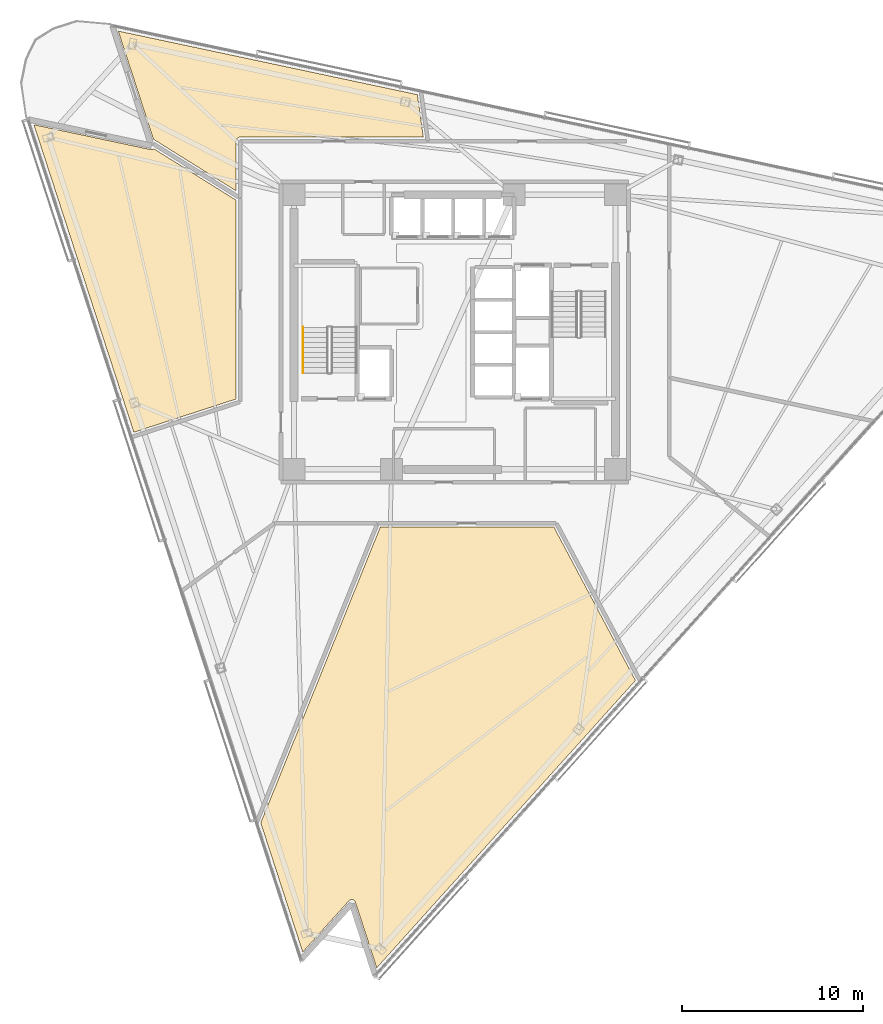
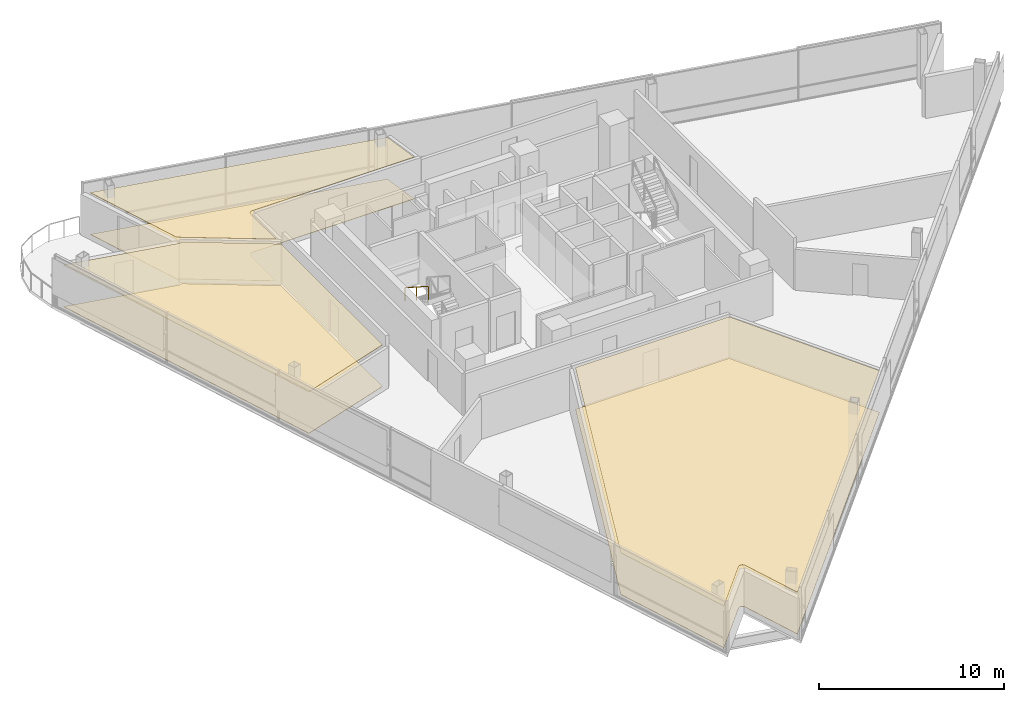
# One storey, part 15 of 17: 6 coverings, 1 railing.
"""IFC4 building model written with IfcOpenShell, lengths in metres."""

from ifc_helpers import new_model, si_unit, direction, frame, origin, origin_2d, place, context, subcontext, project, spatial, polyline, rectangle, outline, extrude, material, layer, layer_set, type_object, element, save


model = new_model("IFC4")

# Units and contexts
model_context = context("Model", 3, precision=1e-05, world=origin(), true_north=direction((0.0, 1.0)))
body_context = subcontext(model_context, "Body", "Model", "MODEL_VIEW")
ifc_project = project(units=[si_unit("LENGTHUNIT", "METRE"), si_unit("AREAUNIT", "SQUARE_METRE"), si_unit("VOLUMEUNIT", "CUBIC_METRE"), si_unit("PLANEANGLEUNIT", "RADIAN"), si_unit("MASSUNIT", "GRAM", prefix="KILO")], contexts=[model_context])

# Site, building, storey
site_placement = place(None, origin())
site = spatial("IfcSite", under=ifc_project, at=site_placement, CompositionType="ELEMENT")
building_placement = place(site_placement, origin())
building = spatial("IfcBuilding", under=site, at=building_placement, Name="Tharavind Bronze Gate", CompositionType="ELEMENT")
storey_placement = place(building_placement, frame((0.0, 0.0, 200.449951171875)))
storey = spatial("IfcBuildingStorey", under=building, at=storey_placement, Name="L51", CompositionType="ELEMENT", Elevation=200.449951171875)

# Coverings
ifc_material_1 = material(Name="Perforated Bronze Acoustic Panel", Category="bronze")
ifc_layer_1 = layer(ifc_material_1, 0.044921875)
ifc_layer_set_1 = layer_set([ifc_layer_1], Name="Perforated Bronze Acoustic Panel")
covering_type_1 = type_object("IfcCoveringType", Name="ACOUSTIC BRONZE BAFFLE CEILING", PredefinedType="CEILING", material=ifc_layer_set_1)
covering_1_placement = place(storey_placement, frame((0.0, 0.0, 2.75)))
element("IfcCovering", 1, at=covering_1_placement, inside=storey, type_object=covering_type_1, Name="L51-RM-02 suspended ceiling", PredefinedType="CEILING", context=body_context, shape_type="SweptSolid", body=[
    extrude(outline(polyline([(-16.6875, 10.68701171875), (-12.10009765625, 7.8203125), (-12.10009765625, 10.579345703125), (-12.099609375, 10.590087890625), (-12.099609375, 10.5908203125), (-12.09765625, 10.6123046875), (-12.093505859375, 10.63330078125), (-12.087158203125, 10.654052734375), (-12.078857421875, 10.674072265625), (-12.068603515625, 10.693115234375), (-12.056640625, 10.7109375), (-12.04296875, 10.727783203125), (-12.027587890625, 10.742919921875), (-12.010986328125, 10.756591796875), (-11.9931640625, 10.768798828125), (-11.97412109375, 10.77880859375), (-11.9541015625, 10.787109375), (-11.933349609375, 10.79345703125), (-11.912353515625, 10.797607421875), (-11.890869140625, 10.7998046875), (-11.89013671875, 10.7998046875), (-11.87939453125, 10.800048828125), (-1.739990234375, 10.800048828125), (-2.07080078125, 13.15283203125), (-18.6328125, 16.673095703125), (-16.6875, 10.68701171875)])), origin(), (0.0, 0.0, 1.0), 0.03515625),
])
ifc_material_2 = material(Name="Engineered Oak & Carpet Tile", Category="wood")
ifc_layer_2 = layer(ifc_material_2, 0.02490234375)
ifc_layer_set_2 = layer_set([ifc_layer_2], Name="Engineered Oak & Carpet Tile")
covering_type_2 = type_object("IfcCoveringType", Name="ENGINEERED TIMBER FLOORING", PredefinedType="FLOORING", material=ifc_layer_set_2)
covering_2_placement = place(storey_placement, origin())
element("IfcCovering", 2, at=covering_2_placement, inside=storey, type_object=covering_type_2, Name="L51-RM-02 floor finish", PredefinedType="FLOORING", context=body_context, shape_type="SweptSolid", body=[
    extrude(outline(polyline([(-16.6875, 10.68701171875), (-12.10009765625, 7.8203125), (-12.10009765625, 10.579345703125), (-12.099609375, 10.590087890625), (-12.099609375, 10.5908203125), (-12.09765625, 10.6123046875), (-12.093505859375, 10.63330078125), (-12.087158203125, 10.654052734375), (-12.078857421875, 10.674072265625), (-12.068603515625, 10.693115234375), (-12.056640625, 10.7109375), (-12.04296875, 10.727783203125), (-12.027587890625, 10.742919921875), (-12.010986328125, 10.756591796875), (-11.9931640625, 10.768798828125), (-11.97412109375, 10.77880859375), (-11.9541015625, 10.787109375), (-11.933349609375, 10.79345703125), (-11.912353515625, 10.797607421875), (-11.890869140625, 10.7998046875), (-11.89013671875, 10.7998046875), (-11.87939453125, 10.800048828125), (-1.739990234375, 10.800048828125), (-2.07080078125, 13.15283203125), (-18.6328125, 16.673095703125), (-16.6875, 10.68701171875)])), origin(), (0.0, 0.0, 1.0), 0.025146484375),
])
covering_3_placement = place(storey_placement, origin())
element("IfcCovering", 3, at=covering_3_placement, inside=storey, type_object=covering_type_2, Name="L51-RM-03 floor finish", PredefinedType="FLOORING", context=body_context, shape_type="SweptSolid", body=[
    extrude(outline(polyline([(-17.770263671875, -5.54248046875), (-12.10009765625, -3.7001953125), (-12.10009765625, 7.301513671875), (-16.667724609375, 10.15576171875), (-16.671630859375, 10.152587890625), (-16.68994140625, 10.140380859375), (-16.709228515625, 10.130126953125), (-16.7294921875, 10.121826171875), (-16.75048828125, 10.115478515625), (-16.772216796875, 10.111572265625), (-16.7939453125, 10.109619140625), (-16.81591796875, 10.109619140625), (-16.837646484375, 10.112060546875), (-16.83837890625, 10.1123046875), (-16.84912109375, 10.1142578125), (-23.30322265625, 11.486083984375), (-17.770263671875, -5.54248046875)])), origin(), (0.0, 0.0, 1.0), 0.025146484375),
])
covering_4_placement = place(storey_placement, origin())
element("IfcCovering", 4, at=covering_4_placement, inside=storey, type_object=covering_type_2, Name="L51-RM-05 floor finish", PredefinedType="FLOORING", context=body_context, shape_type="SweptSolid", body=[
    extrude(outline(polyline([(-8.417236328125, -34.328369140625), (-5.870361328125, -31.499755859375), (-5.86279296875, -31.49169921875), (-5.8623046875, -31.4912109375), (-5.84619140625, -31.4765625), (-5.82861328125, -31.46337890625), (-5.809814453125, -31.4521484375), (-5.789794921875, -31.44287109375), (-5.769287109375, -31.435546875), (-5.747802734375, -31.430419921875), (-5.72607421875, -31.42724609375), (-5.7041015625, -31.426513671875), (-5.682373046875, -31.427734375), (-5.66064453125, -31.431396484375), (-5.639404296875, -31.43701171875), (-5.618896484375, -31.444580078125), (-5.599365234375, -31.454345703125), (-5.580810546875, -31.4658203125), (-5.563232421875, -31.479248046875), (-5.54736328125, -31.494384765625), (-5.532958984375, -31.510986328125), (-5.5205078125, -31.52880859375), (-5.509521484375, -31.548095703125), (-5.500732421875, -31.568115234375), (-5.50048828125, -31.568603515625), (-5.4970703125, -31.5791015625), (-4.32080078125, -35.19921875), (10.006103515625, -19.28759765625), (5.493408203125, -10.800048828125), (-4.126220703125, -10.800048828125), (-10.74169921875, -27.174072265625), (-8.417236328125, -34.328369140625)])), origin(), (0.0, 0.0, 1.0), 0.025146484375),
])
ifc_material_3 = material(Name="Acoustic Gypsum Board", Category="gypsum")
ifc_layer_3 = layer(ifc_material_3, 0.030029296875)
ifc_layer_set_3 = layer_set([ifc_layer_3], Name="Acoustic Gypsum Board")
covering_type_3 = type_object("IfcCoveringType", Name="GYPSUM SUSPENDED CEILING", PredefinedType="CEILING", material=ifc_layer_set_3)
covering_5_placement = place(storey_placement, frame((0.0, 0.0, 2.75)))
element("IfcCovering", 5, at=covering_5_placement, inside=storey, type_object=covering_type_3, Name="L51-RM-03 suspended ceiling", PredefinedType="CEILING", context=body_context, shape_type="SweptSolid", body=[
    extrude(outline(polyline([(-17.770263671875, -5.54248046875), (-12.10009765625, -3.7001953125), (-12.10009765625, 7.301513671875), (-16.667724609375, 10.15576171875), (-16.671630859375, 10.152587890625), (-16.68994140625, 10.140380859375), (-16.709228515625, 10.130126953125), (-16.7294921875, 10.121826171875), (-16.75048828125, 10.115478515625), (-16.772216796875, 10.111572265625), (-16.7939453125, 10.109619140625), (-16.81591796875, 10.109619140625), (-16.837646484375, 10.112060546875), (-16.83837890625, 10.1123046875), (-16.84912109375, 10.1142578125), (-23.30322265625, 11.486083984375), (-17.770263671875, -5.54248046875)])), origin(), (0.0, 0.0, 1.0), 0.03515625),
])
covering_6_placement = place(storey_placement, frame((0.0, 0.0, 2.75)))
element("IfcCovering", 6, at=covering_6_placement, inside=storey, type_object=covering_type_3, Name="L51-RM-05 suspended ceiling", PredefinedType="CEILING", context=body_context, shape_type="SweptSolid", body=[
    extrude(outline(polyline([(-8.417236328125, -34.328369140625), (-5.870361328125, -31.499755859375), (-5.86279296875, -31.49169921875), (-5.8623046875, -31.4912109375), (-5.84619140625, -31.4765625), (-5.82861328125, -31.46337890625), (-5.809814453125, -31.4521484375), (-5.789794921875, -31.44287109375), (-5.769287109375, -31.435546875), (-5.747802734375, -31.430419921875), (-5.72607421875, -31.42724609375), (-5.7041015625, -31.426513671875), (-5.682373046875, -31.427734375), (-5.66064453125, -31.431396484375), (-5.639404296875, -31.43701171875), (-5.618896484375, -31.444580078125), (-5.599365234375, -31.454345703125), (-5.580810546875, -31.4658203125), (-5.563232421875, -31.479248046875), (-5.54736328125, -31.494384765625), (-5.532958984375, -31.510986328125), (-5.5205078125, -31.52880859375), (-5.509521484375, -31.548095703125), (-5.500732421875, -31.568115234375), (-5.50048828125, -31.568603515625), (-5.4970703125, -31.5791015625), (-4.32080078125, -35.19921875), (10.006103515625, -19.28759765625), (5.493408203125, -10.800048828125), (-4.126220703125, -10.800048828125), (-10.74169921875, -27.174072265625), (-8.417236328125, -34.328369140625)])), origin(), (0.0, 0.0, 1.0), 0.03515625),
])

# Railing
ifc_material_4 = material(Name="Brushed Bronze Alloy", Category="metal")
railing_type = type_object("IfcRailingType", Name="STAIR BRONZE HANDRAIL 900", PredefinedType="HANDRAIL", material=ifc_material_4)
railing_placement = place(storey_placement, frame((-8.39990234375, 0.27001953125, 1.97998046875)))
element("IfcRailing", 7, at=railing_placement, inside=storey, type_object=railing_type, Name="L51 ST1 stair handrail 2", PredefinedType="HANDRAIL", context=body_context, shape_type="SweptSolid", body=[
    extrude(rectangle(XDim=0.048095703125, YDim=0.048095703125, at=origin_2d()), frame((0.0, -0.02685546875, 0.89306640625), z_axis=(0.0, -0.841162588446, 0.540782303519), x_axis=(1.0, 0.0, 0.0)), (0.0, 0.0, 1.0), 2.931884765625),
    extrude(rectangle(XDim=0.0400390625, YDim=0.0400390625, at=origin_2d()), origin(), (0.0, 0.0, 1.0), 0.847900390625),
    extrude(rectangle(XDim=0.0400390625, YDim=0.0400390625, at=origin_2d()), frame((0.0, -1.260009765625, 0.81005859375)), (0.0, 0.0, 1.0), 0.847900390625),
    extrude(rectangle(XDim=0.0400390625, YDim=0.0400390625, at=origin_2d()), frame((0.0, -2.52001953125, 1.6201171875)), (0.0, 0.0, 1.0), 0.847900390625),
])

save(model, "model.ifc")
